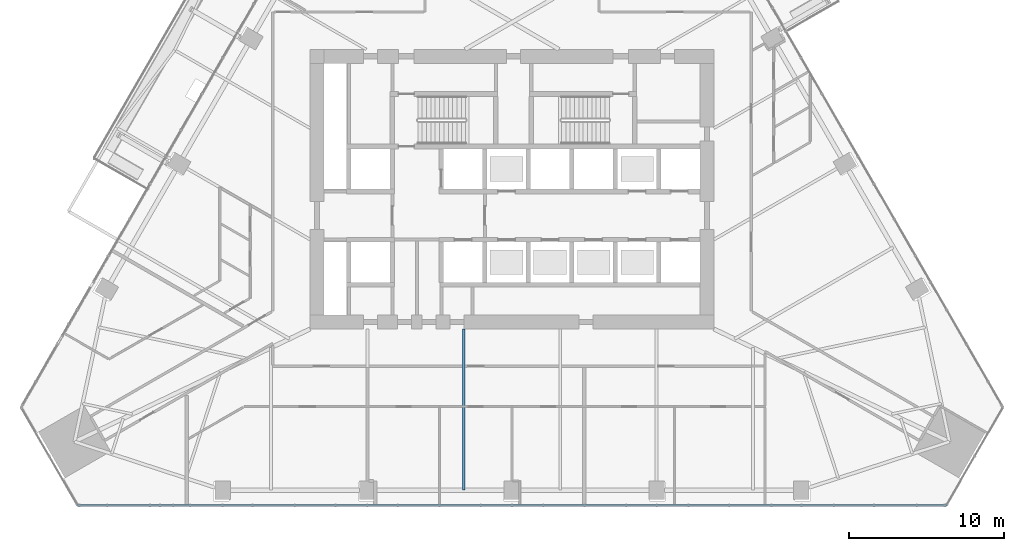
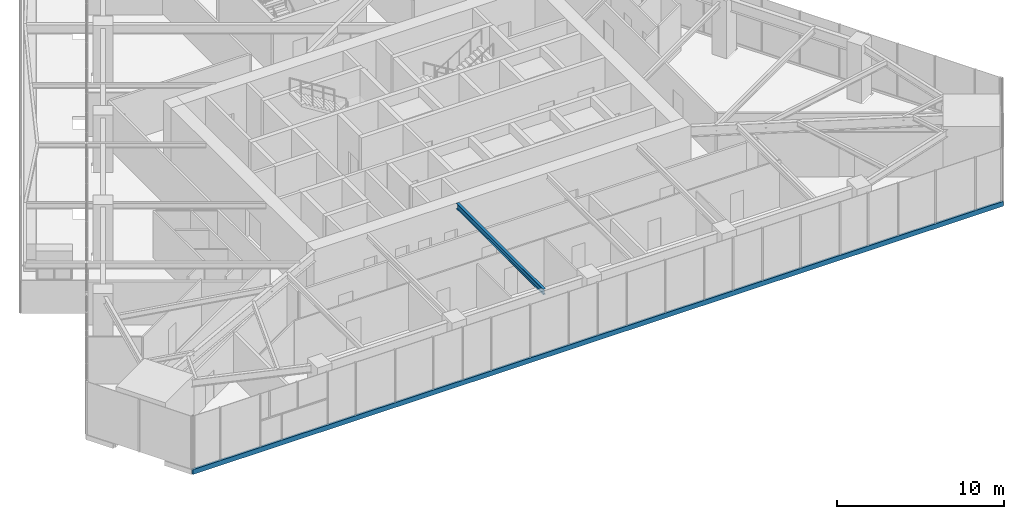
# One storey, part 3 of 26: 1 beam, 1 member, 1 element without a shape of its own.
"""IFC4 building model written with IfcOpenShell, lengths in metres."""

from ifc_helpers import new_model, si_unit, direction, frame, origin, origin_2d, place, context, subcontext, project, spatial, rectangle, i_section, extrude, material, layer, layer_set, material_profile, profile_set, type_object, element, aggregate, save


model = new_model("IFC4")

# Units and contexts
model_context = context("Model", 3, precision=1e-05, world=origin(), true_north=direction((0.0, 1.0)))
body_context = subcontext(model_context, "Body", "Model", "MODEL_VIEW")
ifc_project = project(units=[si_unit("LENGTHUNIT", "METRE"), si_unit("AREAUNIT", "SQUARE_METRE"), si_unit("VOLUMEUNIT", "CUBIC_METRE"), si_unit("PLANEANGLEUNIT", "RADIAN"), si_unit("MASSUNIT", "GRAM", prefix="KILO")], contexts=[model_context])

# Site, building, storey
site_placement = place(None, origin())
site = spatial("IfcSite", under=ifc_project, at=site_placement, CompositionType="ELEMENT")
building_placement = place(site_placement, origin())
building = spatial("IfcBuilding", under=site, at=building_placement, Name="Firuza Gate Tower and Library", CompositionType="ELEMENT")
storey_placement = place(building_placement, frame((0.0, 0.0, 115.60009765625)))
storey = spatial("IfcBuildingStorey", under=building, at=storey_placement, Name="L26", CompositionType="ELEMENT", Elevation=115.60009765625)

# Curtain wall, member
ifc_material_1 = material(Name="Aluminium 6063-T6", Category="aluminium")
ifc_layer = layer(ifc_material_1, 0.14990234375)
ifc_layer_set = layer_set([ifc_layer], Name="Unitised curtain wall, offices")
curtain_wall_type = type_object("IfcCurtainWallType", Name="Unitised curtain wall, offices", PredefinedType="NOTDEFINED", material=ifc_layer_set)
curtain_wall_placement = place(storey_placement, origin())
curtain_wall = element("IfcCurtainWall", 1, at=curtain_wall_placement, inside=storey, type_object=curtain_wall_type, Name="CW1 L26 S face", PredefinedType="NOTDEFINED")
ifc_material_2 = material(Name="Aluminium 6063-T6", Category="aluminium")
ifc_material_profile_1 = material_profile(ifc_material_2, rectangle(XDim=0.14990234375, YDim=0.35009765625, at=origin_2d()))
ifc_profile_set_1 = profile_set([ifc_material_profile_1], Name="Aluminium 6063-T6")
member_type = type_object("IfcMemberType", Name="Curtain wall transom 350x150", PredefinedType="USERDEFINED", material=ifc_profile_set_1)
member_placement = place(storey_placement, frame((47.04150390625, 54.6513671875, -0.025146484375), z_axis=(1.0, 0.0, 0.0), x_axis=(0.0, 1.0, 0.0)))
member = element("IfcMember", 2, at=member_placement, type_object=member_type, Name="Transom", ObjectType="TRANSOM", PredefinedType="USERDEFINED", context=body_context, shape_type="SweptSolid", body=[
    extrude(rectangle(XDim=0.14990234375, YDim=0.35009765625, at=origin_2d()), origin(), (0.0, 0.0, 1.0), 55.9169921875),
])
aggregate(curtain_wall, [member])

# Beam
ifc_material_3 = material(Name="Steel S355", Category="steel")
ifc_material_profile_2 = material_profile(ifc_material_3, i_section(OverallWidth=0.177978515625, OverallDepth=0.406982421875, WebThickness=0.0078125, FlangeThickness=0.0126953125, at=origin_2d()))
ifc_profile_set_2 = profile_set([ifc_material_profile_2], Name="Steel S355")
beam_type = type_object("IfcBeamType", Name="W410x60 Floor beam", PredefinedType="JOIST", material=ifc_profile_set_2)
beam_placement = place(storey_placement, frame((71.898193359375, 55.626220703125, 3.79638671875), z_axis=(0.0, 1.0, 0.0), x_axis=(-1.0, 0.0, 0.0)))
element("IfcBeam", 3, at=beam_placement, inside=storey, type_object=beam_type, Name="Floor beam L26 s22", PredefinedType="JOIST", context=body_context, shape_type="SweptSolid", body=[
    extrude(i_section(OverallWidth=0.177978515625, OverallDepth=0.406982421875, WebThickness=0.0078125, FlangeThickness=0.0126953125, at=origin_2d()), origin(), (0.0, 0.0, 1.0), 10.373779296875),
])

save(model, "model.ifc")
